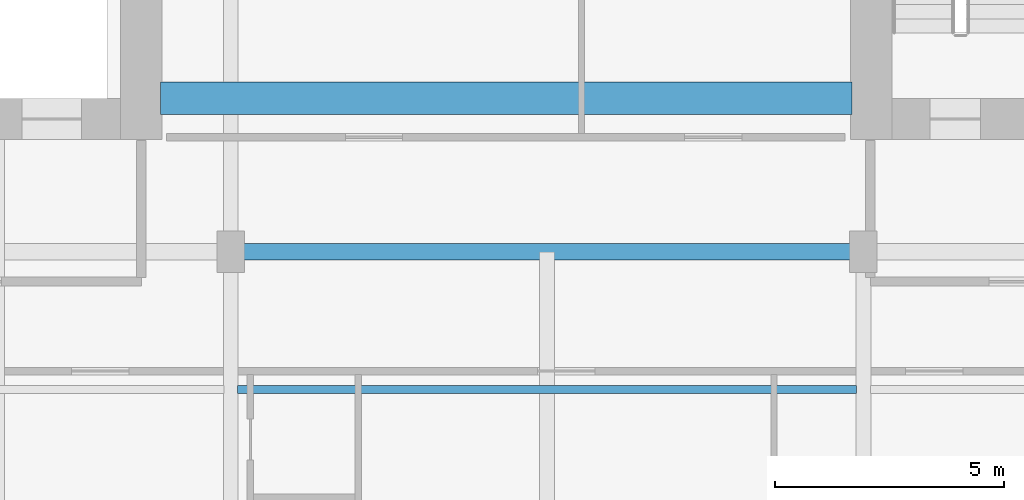
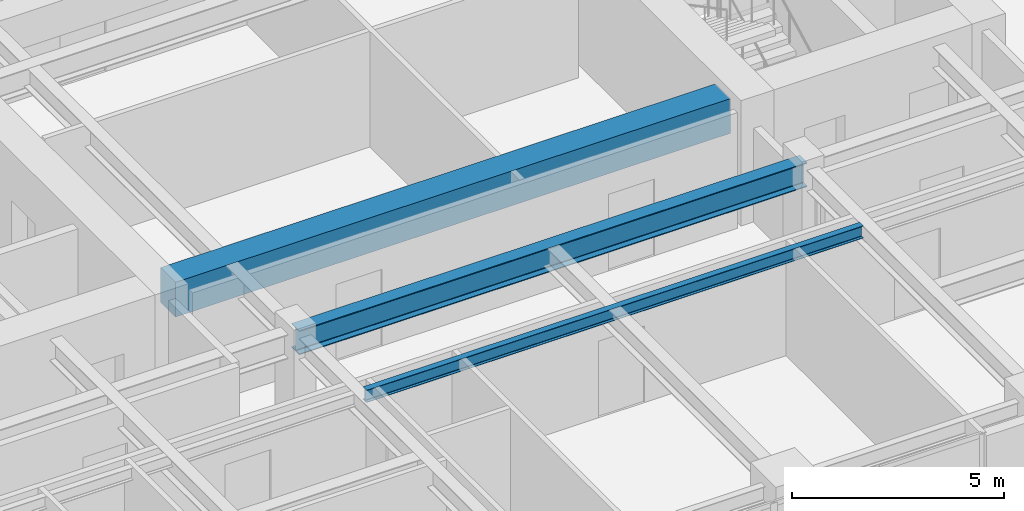
# One storey, part 4 of 24: 3 beams.
"""IFC4 building model written with IfcOpenShell, lengths in metres."""

import ifcopenshell
import ifcopenshell.guid

model = None  # the IFC model being written
_history = None  # IfcOwnerHistory: only IFC2X3 demands one
_inside = {}  # id of a spatial element -> (the spatial element, [elements in it])
_under = {}  # id of a project, library or spatial element -> (it, [spatial elements below it])
_declared = {}  # id of a project -> (the project, [libraries it declares])
_typed = {}  # id of a type object -> (the type object, [elements of that type])
_made_of = {}  # id of a material, layer set ... -> (it, [elements and type objects made of it])


def new_model(schema):
    """Start an empty IFC model of exactly this schema.

    Asked for "IFC4X3", IfcOpenShell would pick the latest addendum, in which some entities
    have other attributes; the version numbers below select the first issue.
    IFC2X3 requires an IfcOwnerHistory on every rooted entity: one is made here for all.
    """
    global model, _history
    if schema == "IFC4X3":
        model = ifcopenshell.file(schema_version=(4, 3, 0, 0))
    else:
        model = ifcopenshell.file(schema=schema)
    _inside.clear()
    _under.clear()
    _declared.clear()
    _typed.clear()
    _made_of.clear()
    _history = None
    if model.schema == "IFC2X3":
        org = make("IfcOrganization", Name="unknown")
        user = make(
            "IfcPersonAndOrganization",
            ThePerson=make("IfcPerson", FamilyName="unknown"),
            TheOrganization=org,
        )
        app = make(
            "IfcApplication",
            ApplicationDeveloper=org,
            Version="unknown",
            ApplicationFullName="unknown",
            ApplicationIdentifier="unknown",
        )
        _history = make(
            "IfcOwnerHistory",
            OwningUser=user,
            OwningApplication=app,
            ChangeAction="ADDED",
            CreationDate=0,
        )
    return model


def make(cls, **values):
    """One entity of the class cls with the attributes given. An attribute that is None is left unset."""
    return model.create_entity(
        cls, **{name: value for name, value in values.items() if value is not None}
    )


def rooted(cls, **values):
    """An entity with a GlobalId (a new one), such as an element, a storey or a relation."""
    return make(cls, GlobalId=ifcopenshell.guid.new(), OwnerHistory=_history, **values)


def si_unit(unit_type, name, prefix=None):
    """IfcSIUnit, for example si_unit("LENGTHUNIT", "METRE", prefix="MILLI")."""
    return make("IfcSIUnit", UnitType=unit_type, Prefix=prefix, Name=name)


def assignment(units):
    """IfcUnitAssignment: the units of a project."""
    return None if units is None else make("IfcUnitAssignment", Units=units)


def point(xyz):
    """IfcCartesianPoint."""
    return None if xyz is None else make("IfcCartesianPoint", Coordinates=xyz)


def direction(xyz):
    """IfcDirection."""
    return None if xyz is None else make("IfcDirection", DirectionRatios=xyz)


def frame(location, z_axis=None, x_axis=None):
    """IfcAxis2Placement3D, a coordinate frame: its origin and axes. An axis left out is left unset."""
    return make(
        "IfcAxis2Placement3D",
        Location=point(location),
        Axis=direction(z_axis),
        RefDirection=direction(x_axis),
    )


def frame_2d(location, x_axis=None):
    """IfcAxis2Placement2D, a coordinate frame in the plane: its origin and x axis."""
    return make(
        "IfcAxis2Placement2D", Location=point(location), RefDirection=direction(x_axis)
    )


def origin():
    """The frame at (0, 0, 0) with its axes left unset."""
    return frame((0.0, 0.0, 0.0))


def origin_2d():
    """The frame at (0, 0) in the plane with its x axis left unset."""
    return frame_2d((0.0, 0.0))


def place(relative_to, where):
    """IfcLocalPlacement: puts the frame where relative to a parent placement (None: the world)."""
    return make(
        "IfcLocalPlacement", PlacementRelTo=relative_to, RelativePlacement=where
    )


def context(
    kind, dimensions, precision=None, world=None, true_north=None, identifier=None
):
    """IfcGeometricRepresentationContext, for example the 3D "Model" context."""
    return make(
        "IfcGeometricRepresentationContext",
        ContextIdentifier=identifier,
        ContextType=kind,
        CoordinateSpaceDimension=dimensions,
        Precision=precision,
        WorldCoordinateSystem=world,
        TrueNorth=true_north,
    )


def subcontext(parent, identifier, kind, view, scale=None):
    """IfcGeometricRepresentationSubContext, for example "Body" below "Model"."""
    return make(
        "IfcGeometricRepresentationSubContext",
        ContextIdentifier=identifier,
        ContextType=kind,
        ParentContext=parent,
        TargetScale=scale,
        TargetView=view,
    )


def project(units=None, contexts=None):
    """IfcProject with its units and contexts."""
    return rooted(
        "IfcProject",
        Name="project",
        RepresentationContexts=contexts,
        UnitsInContext=assignment(units),
    )


def spatial(cls, under=None, at=None, **own):
    """A site, building, storey or space (cls), placed at a placement, below another one or the project."""
    s = rooted(cls, ObjectPlacement=at, **own)
    if under is not None:
        _under.setdefault(under.id(), (under, []))[1].append(s)
    return s


def profile(cls, at=None, kind="AREA", **sizes):
    """A parametric profile (cls). Its sizes go by their IFC names, for example OverallWidth=200.0."""
    return make(cls, ProfileType=kind, Position=at, **sizes)


def rectangle(**sizes):
    """IfcRectangleProfileDef."""
    return profile("IfcRectangleProfileDef", **sizes)


def i_section(**sizes):
    """IfcIShapeProfileDef."""
    return profile("IfcIShapeProfileDef", **sizes)


def extrude(swept, where, along, depth):
    """IfcExtrudedAreaSolid: the profile swept, set in the frame where, extruded along a direction by depth."""
    return make(
        "IfcExtrudedAreaSolid",
        SweptArea=swept,
        Position=where,
        ExtrudedDirection=direction(along),
        Depth=depth,
    )


def shape(context_of_items, identifier, shape_type, items):
    """IfcShapeRepresentation: the items that make up one representation, for example the "Body"."""
    return make(
        "IfcShapeRepresentation",
        ContextOfItems=context_of_items,
        RepresentationIdentifier=identifier,
        RepresentationType=shape_type,
        Items=items,
    )


def source(mapping_origin, context_of_items, identifier, shape_type, items):
    """IfcRepresentationMap: a shape defined once, which mapped items show again and again."""
    return make(
        "IfcRepresentationMap",
        MappingOrigin=mapping_origin,
        MappedRepresentation=shape(context_of_items, identifier, shape_type, items),
    )


def transform(
    local_origin,
    x_axis=None,
    y_axis=None,
    z_axis=None,
    scale=None,
    scale2=None,
    scale3=None,
    uniform=True,
):
    """IfcCartesianTransformationOperator3D, or its non-uniform kind. x_axis, y_axis, z_axis: its Axis1, 2, 3."""
    if uniform:
        return make(
            "IfcCartesianTransformationOperator3D",
            Axis1=direction(x_axis),
            Axis2=direction(y_axis),
            LocalOrigin=point(local_origin),
            Scale=scale,
            Axis3=direction(z_axis),
        )
    return make(
        "IfcCartesianTransformationOperator3DnonUniform",
        Axis1=direction(x_axis),
        Axis2=direction(y_axis),
        LocalOrigin=point(local_origin),
        Scale=scale,
        Axis3=direction(z_axis),
        Scale2=scale2,
        Scale3=scale3,
    )


def mapped(mapping_source, mapping_target):
    """IfcMappedItem: shows the shape of a source again, moved by a transform."""
    return make(
        "IfcMappedItem", MappingSource=mapping_source, MappingTarget=mapping_target
    )


def material(Name=None, Category=None):
    """IfcMaterial."""
    return make("IfcMaterial", Name=Name, Category=Category)


def material_profile(
    of_material, cross_section, Name=None, Category=None, Priority=None
):
    """IfcMaterialProfile: a cross section and its material."""
    return make(
        "IfcMaterialProfile",
        Name=Name,
        Material=of_material,
        Profile=cross_section,
        Priority=Priority,
        Category=Category,
    )


def profile_set(profiles, Name=None, composite=None):
    """IfcMaterialProfileSet."""
    return make(
        "IfcMaterialProfileSet",
        Name=Name,
        MaterialProfiles=profiles,
        CompositeProfile=composite,
    )


def made_of(thing, what):
    """Note that an element or type object is made of a material, layer set ...; save() writes the relation."""
    if what is not None:
        _made_of.setdefault(what.id(), (what, []))[1].append(thing)
    return thing


def type_object(cls, material=None, **own):
    """A type object (cls), such as IfcWallType, which elements share."""
    return made_of(rooted(cls, **own), material)


def element(
    cls,
    number,
    at=None,
    inside=None,
    cuts=None,
    type_object=None,
    material=None,
    context=None,
    identifier="Body",
    shape_type=None,
    held_by="IfcProductDefinitionShape",
    body=None,
    shapes=None,
    **own,
):
    """One element of the class cls, such as IfcWall. Its Tag is "e" and its number.

    at: its placement. inside: the storey or other place that contains it. cuts: it is an
    opening in that element (IfcRelVoidsElement). A single representation is given by context,
    identifier, shape_type and body (its items); several are given by shapes. held_by: the class
    of the entity that holds the representations. save() writes the other relations.
    """
    e = rooted(cls, Tag="e%d" % number, ObjectPlacement=at, **own)
    if body is not None:
        shapes = [shape(context, identifier, shape_type, body)]
    if shapes is not None:
        e.Representation = make(held_by, Representations=shapes)
    if inside is not None:
        _inside.setdefault(inside.id(), (inside, []))[1].append(e)
    if cuts is not None:
        rooted(
            "IfcRelVoidsElement", RelatingBuildingElement=cuts, RelatedOpeningElement=e
        )
    if type_object is not None:
        _typed.setdefault(type_object.id(), (type_object, []))[1].append(e)
    return made_of(e, material)


def aggregate(whole, parts):
    """IfcRelAggregates: a whole, such as a stair, and the parts it consists of."""
    return rooted("IfcRelAggregates", RelatingObject=whole, RelatedObjects=parts)


def save(model, path):
    """Write the relations noted so far, then the file.

    IfcRelAggregates (storeys below a building ...), IfcRelContainedInSpatialStructure (elements
    in a storey), IfcRelDefinesByType, IfcRelAssociatesMaterial and IfcRelDeclares: one each for
    every whole, place, type object, material and project.
    """
    for whole, parts in _under.values():
        aggregate(whole, parts)
    for where, things in _inside.values():
        rooted(
            "IfcRelContainedInSpatialStructure",
            RelatedElements=things,
            RelatingStructure=where,
        )
    for kind, things in _typed.values():
        rooted("IfcRelDefinesByType", RelatedObjects=things, RelatingType=kind)
    for what, things in _made_of.values():
        rooted("IfcRelAssociatesMaterial", RelatedObjects=things, RelatingMaterial=what)
    for by, libraries in _declared.values():
        rooted("IfcRelDeclares", RelatingContext=by, RelatedDefinitions=libraries)
    model.write(path)


model = new_model("IFC4")

# Units and contexts
model_context = context("Model", 3, precision=1e-05, world=origin(), true_north=direction((0.0, 1.0)))
body_context = subcontext(model_context, "Body", "Model", "MODEL_VIEW")
ifc_project = project(units=[si_unit("LENGTHUNIT", "METRE"), si_unit("AREAUNIT", "SQUARE_METRE"), si_unit("VOLUMEUNIT", "CUBIC_METRE"), si_unit("PLANEANGLEUNIT", "RADIAN"), si_unit("MASSUNIT", "GRAM", prefix="KILO")], contexts=[model_context])

# Site, building, storey
site_placement = place(None, origin())
site = spatial("IfcSite", under=ifc_project, at=site_placement, CompositionType="ELEMENT")
building_placement = place(site_placement, origin())
building = spatial("IfcBuilding", under=site, at=building_placement, Name="Khoralis Quay Care Tower", CompositionType="ELEMENT")
storey_placement = place(building_placement, frame((0.0, 0.0, 62.10009765625)))
storey = spatial("IfcBuildingStorey", under=building, at=storey_placement, Name="L16", CompositionType="ELEMENT", Elevation=62.10009765625)

# Beams
ifc_material_1 = material(Name="Concrete C80/95", Category="concrete")
ifc_material_profile_1 = material_profile(ifc_material_1, rectangle(XDim=0.699951171875, YDim=1.0, at=origin_2d()), Name="Concrete C80/95")
ifc_profile_set_1 = profile_set([ifc_material_profile_1], Name="Concrete C80/95")
beam_type_1 = type_object("IfcBeamType", Name="CB-RC700X1000", PredefinedType="LINTEL", material=ifc_profile_set_1)
shared_shape_1 = source(origin(), body_context, "Body", "SweptSolid", [
    extrude(rectangle(XDim=0.699951171875, YDim=1.0, at=origin_2d()), origin(), (0.0, 0.0, 1.0), 15.079833984375),
])
beam_1_placement = place(storey_placement, frame((15.570068359375, 15.35009765625, 2.81982421875), z_axis=(1.0, 0.0, 0.0), x_axis=(0.0, 1.0, 0.0)))
element("IfcBeam", 1, at=beam_1_placement, inside=storey, type_object=beam_type_1, Name="L16 South Core Coupling Lintel", PredefinedType="LINTEL", context=body_context, shape_type="MappedRepresentation", body=[
    mapped(shared_shape_1, transform((0.0, 0.0, 0.0), scale=1.0)),
])
ifc_material_2 = material(Name="Steel S355", Category="steel")
ifc_material_profile_2 = material_profile(ifc_material_2, i_section(OverallWidth=0.35498046875, OverallDepth=0.695068359375, WebThickness=0.015380859375, FlangeThickness=0.02490234375, FilletRadius=0.02001953125, at=origin_2d()), Name="Steel S355")
ifc_profile_set_2 = profile_set([ifc_material_profile_2], Name="Steel S355")
beam_type_2 = type_object("IfcBeamType", Name="BM-W690X217", PredefinedType="BEAM", material=ifc_profile_set_2)
shared_shape_2 = source(origin(), body_context, "Body", "SweptSolid", [
    extrude(i_section(OverallWidth=0.35498046875, OverallDepth=0.695068359375, WebThickness=0.015380859375, FlangeThickness=0.02490234375, FilletRadius=0.02001953125, at=origin_2d()), origin(), (0.0, 0.0, 1.0), 13.7998046875),
])
beam_2_placement = place(storey_placement, frame((17.10009765625, 12.0, 2.972412109375), z_axis=(1.0, 0.0, 0.0), x_axis=(0.0, 1.0, 0.0)))
element("IfcBeam", 2, at=beam_2_placement, inside=storey, type_object=beam_type_2, Name="BM-TGCC-L16-120", PredefinedType="BEAM", context=body_context, shape_type="MappedRepresentation", body=[
    mapped(shared_shape_2, transform((0.0, 0.0, 0.0), scale=1.0)),
])
ifc_material_profile_3 = material_profile(ifc_material_2, i_section(OverallWidth=0.1708984375, OverallDepth=0.35498046875, WebThickness=0.007080078125, FlangeThickness=0.01171875, FilletRadius=0.012939453125, at=origin_2d()), Name="Steel S355")
ifc_profile_set_3 = profile_set([ifc_material_profile_3], Name="Steel S355")
beam_type_3 = type_object("IfcBeamType", Name="BM-W360X51", PredefinedType="JOIST", material=ifc_profile_set_3)
shared_shape_3 = source(origin(), body_context, "Body", "SweptSolid", [
    extrude(i_section(OverallWidth=0.1708984375, OverallDepth=0.35498046875, WebThickness=0.007080078125, FlangeThickness=0.01171875, FilletRadius=0.012939453125, at=origin_2d()), origin(), (0.0, 0.0, 1.0), 13.4990234375),
])
beam_3_placement = place(storey_placement, frame((17.25048828125, 9.0, 3.142333984375), z_axis=(1.0, 0.0, 0.0), x_axis=(0.0, 1.0, 0.0)))
element("IfcBeam", 3, at=beam_3_placement, inside=storey, type_object=beam_type_3, Name="BM-TJS-L16-31", PredefinedType="JOIST", context=body_context, shape_type="MappedRepresentation", body=[
    mapped(shared_shape_3, transform((0.0, 0.0, 0.0), scale=1.0)),
])

save(model, "model.ifc")
